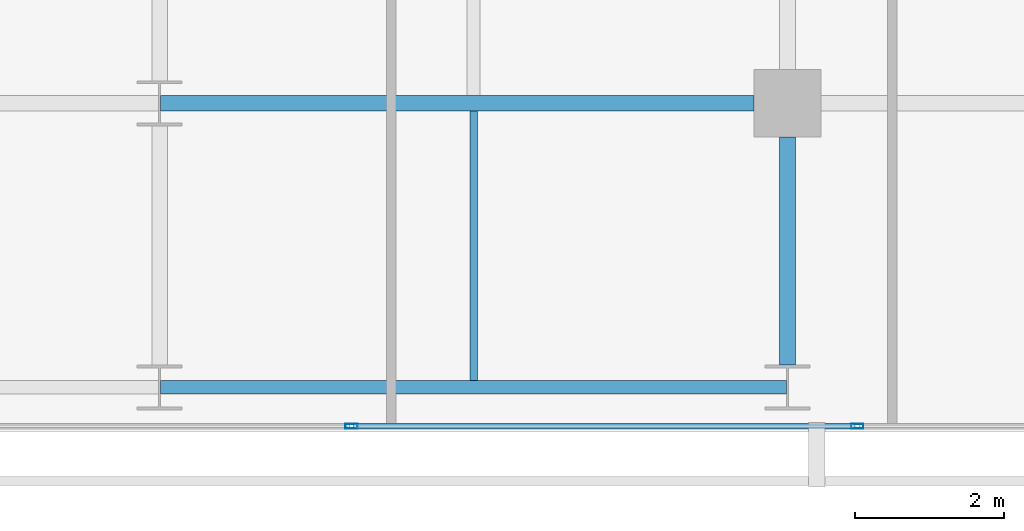
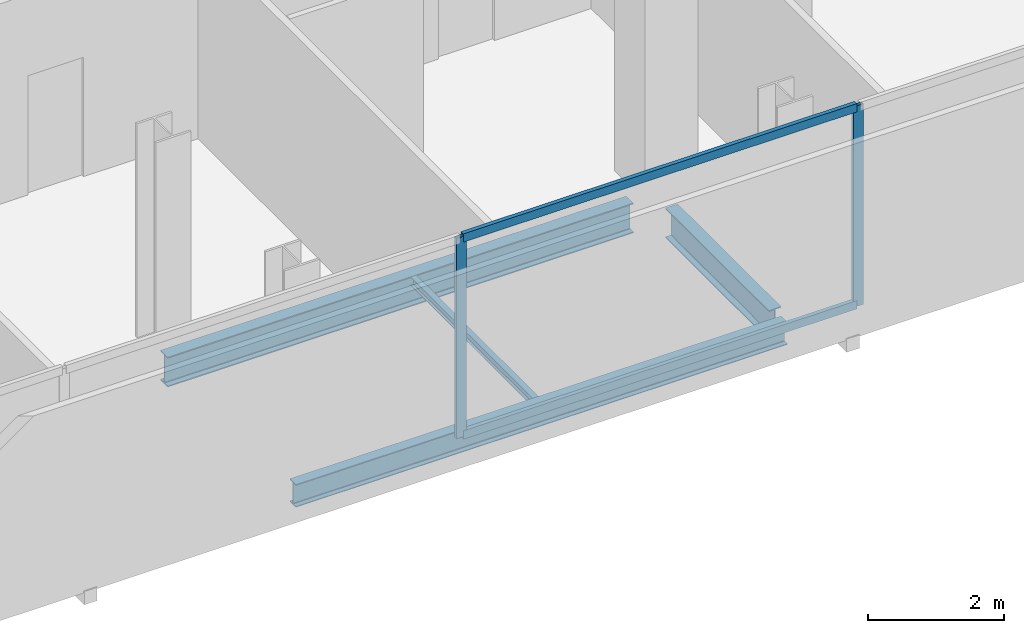
# One storey, part 12 of 33: 4 beams, 4 members, 1 element without a shape of its own.
"""IFC4 building model written with IfcOpenShell, lengths in metres."""

from ifc_helpers import new_model, si_unit, direction, frame, origin, origin_2d, place, context, subcontext, project, spatial, hollow_rectangle, i_section, extrude, material, layer, layer_set, material_profile, profile_set, type_object, element, aggregate, save


model = new_model("IFC4")

# Units and contexts
model_context = context("Model", 3, precision=1e-05, world=origin(), true_north=direction((0.0, 1.0)))
body_context = subcontext(model_context, "Body", "Model", "MODEL_VIEW")
ifc_project = project(units=[si_unit("LENGTHUNIT", "METRE"), si_unit("AREAUNIT", "SQUARE_METRE"), si_unit("VOLUMEUNIT", "CUBIC_METRE"), si_unit("PLANEANGLEUNIT", "RADIAN"), si_unit("MASSUNIT", "GRAM", prefix="KILO")], contexts=[model_context])

# Site, building, storey
site_placement = place(None, origin())
site = spatial("IfcSite", under=ifc_project, at=site_placement, CompositionType="ELEMENT")
building_placement = place(site_placement, origin())
building = spatial("IfcBuilding", under=site, at=building_placement, Name="Maruvema Waterfront Hotel and Observation Tower", CompositionType="ELEMENT")
storey_placement = place(building_placement, frame((0.0, 0.0, 204.39990234375)))
storey = spatial("IfcBuildingStorey", under=building, at=storey_placement, Name="L50", CompositionType="ELEMENT", Elevation=204.39990234375)

# Curtain wall, members
ifc_material_1 = material(Name="Anodised bronze aluminium and solar-control low-E IGU", Category="aluminium")
ifc_layer = layer(ifc_material_1, 0.159912109375, Name="Zone 2 Amber Inner Thermal Curtain Wall System CW-03")
ifc_layer_set = layer_set([ifc_layer], Name="Anodised bronze aluminium and solar-control low-E IGU")
curtain_wall_type = type_object("IfcCurtainWallType", Name="Zone 2 Amber Inner Thermal Curtain Wall System CW-03", PredefinedType="USERDEFINED", material=ifc_layer_set)
curtain_wall_placement = place(storey_placement, origin())
curtain_wall = element("IfcCurtainWall", 1, at=curtain_wall_placement, inside=storey, type_object=curtain_wall_type, Name="L50 Curtain Wall CW-L50-S", ObjectType="UNITISED CURTAIN WALL", PredefinedType="USERDEFINED")
ifc_material_2 = material(Name="Anodised architectural bronze aluminium", Category="aluminium")
ifc_material_profile_1 = material_profile(ifc_material_2, hollow_rectangle(XDim=0.070068359375, YDim=0.14990234375, WallThickness=0.00390625, at=origin_2d()), Name="ALU-T70x150")
ifc_profile_set_1 = profile_set([ifc_material_profile_1], Name="Anodised architectural bronze aluminium")
member_type_1 = type_object("IfcMemberType", Name="Curtain Wall Horizontal Transom ALU-T70x150", PredefinedType="USERDEFINED", material=ifc_profile_set_1)
member_1_placement = place(storey_placement, frame((44.5966796875, 4.679931640625, 0.030029296875), z_axis=(1.0, 0.0, 0.0), x_axis=(0.0, 1.0, 0.0)))
member_1 = element("IfcMember", 2, at=member_1_placement, type_object=member_type_1, Name="CW-03 transom 5.1", ObjectType="TRANSOM", PredefinedType="USERDEFINED", context=body_context, shape_type="SweptSolid", body=[
    extrude(hollow_rectangle(XDim=0.070068359375, YDim=0.14990234375, WallThickness=0.00390625, at=origin_2d()), origin(), (0.0, 0.0, 1.0), 6.70654296875),
])
member_2_placement = place(storey_placement, frame((44.5966796875, 4.679931640625, 3.580078125), z_axis=(1.0, 0.0, 0.0), x_axis=(0.0, 1.0, 0.0)))
member_2 = element("IfcMember", 3, at=member_2_placement, type_object=member_type_1, Name="CW-03 transom 5.2", ObjectType="TRANSOM", PredefinedType="USERDEFINED", context=body_context, shape_type="SweptSolid", body=[
    extrude(hollow_rectangle(XDim=0.070068359375, YDim=0.14990234375, WallThickness=0.00390625, at=origin_2d()), origin(), (0.0, 0.0, 1.0), 6.70654296875),
])
ifc_material_3 = material(Name="Anodised architectural bronze aluminium", Category="aluminium")
ifc_material_profile_2 = material_profile(ifc_material_3, hollow_rectangle(XDim=0.06494140625, YDim=0.1650390625, WallThickness=0.00390625, at=origin_2d()), Name="ALU-M65x165")
ifc_profile_set_2 = profile_set([ifc_material_profile_2], Name="Anodised architectural bronze aluminium")
member_type_2 = type_object("IfcMemberType", Name="Curtain Wall Primary Mullion ALU-M65x165", PredefinedType="MULLION", material=ifc_profile_set_2)
member_3_placement = place(storey_placement, frame((44.566650390625, 4.679931640625, 0.0), z_axis=(0.0, 0.0, 1.0), x_axis=(0.0, 1.0, 0.0)))
member_3 = element("IfcMember", 4, at=member_3_placement, type_object=member_type_2, Name="CW-03 mullion 5", PredefinedType="MULLION", context=body_context, shape_type="SweptSolid", body=[
    extrude(hollow_rectangle(XDim=0.06494140625, YDim=0.1650390625, WallThickness=0.00390625, at=origin_2d()), origin(), (0.0, 0.0, 1.0), 3.610107421875),
])
member_4_placement = place(storey_placement, frame((51.333251953125, 4.679931640625, 0.0), z_axis=(0.0, 0.0, 1.0), x_axis=(0.0, 1.0, 0.0)))
member_4 = element("IfcMember", 5, at=member_4_placement, type_object=member_type_2, Name="CW-03 mullion 6", PredefinedType="MULLION", context=body_context, shape_type="SweptSolid", body=[
    extrude(hollow_rectangle(XDim=0.06494140625, YDim=0.1650390625, WallThickness=0.00390625, at=origin_2d()), origin(), (0.0, 0.0, 1.0), 3.610107421875),
])
aggregate(curtain_wall, [member_3, member_4, member_1, member_2])

# Beams
ifc_material_4 = material(Name="Steel ASTM A572 Grade 50", Category="steel")
ifc_material_profile_3 = material_profile(ifc_material_4, i_section(OverallWidth=0.178955078125, OverallDepth=0.409912109375, WebThickness=0.0087890625, FlangeThickness=0.014404296875, FilletRadius=0.014892578125, at=origin_2d()), Name="W410x67.0")
ifc_profile_set_3 = profile_set([ifc_material_profile_3], Name="Steel ASTM A572 Grade 50")
beam_type_1 = type_object("IfcBeamType", Name="Perimeter Spandrel Beam W410x67.0", PredefinedType="SPANDREL", material=ifc_profile_set_3)
beam_1_placement = place(storey_placement, frame((42.012451171875, 5.199951171875, -0.44482421875), z_axis=(1.0, 0.0, 0.0), x_axis=(0.0, 1.0, 0.0)))
element("IfcBeam", 6, at=beam_1_placement, inside=storey, type_object=beam_type_1, Name="L50 Floor Girder EW-03", PredefinedType="SPANDREL", context=body_context, shape_type="SweptSolid", body=[
    extrude(i_section(OverallWidth=0.178955078125, OverallDepth=0.409912109375, WebThickness=0.0087890625, FlangeThickness=0.014404296875, FilletRadius=0.014892578125, at=origin_2d()), origin(), (0.0, 0.0, 1.0), 8.375),
])
ifc_material_5 = material(Name="Steel ASTM A572 Grade 50", Category="steel")
ifc_material_profile_4 = material_profile(ifc_material_5, i_section(OverallWidth=0.2109375, OverallDepth=0.5390625, WebThickness=0.01171875, FlangeThickness=0.018798828125, FilletRadius=0.014892578125, at=origin_2d()), Name="W530x109.0")
ifc_profile_set_4 = profile_set([ifc_material_profile_4], Name="Steel ASTM A572 Grade 50")
beam_type_2 = type_object("IfcBeamType", Name="Primary Floor Girder W530x109.0", PredefinedType="BEAM", material=ifc_profile_set_4)
beam_2_placement = place(storey_placement, frame((42.012451171875, 9.0, -0.509521484375), z_axis=(1.0, 0.0, 0.0), x_axis=(0.0, 1.0, 0.0)))
element("IfcBeam", 7, at=beam_2_placement, inside=storey, type_object=beam_type_2, Name="L50 Floor Girder EW-08", PredefinedType="BEAM", context=body_context, shape_type="SweptSolid", body=[
    extrude(i_section(OverallWidth=0.2109375, OverallDepth=0.5390625, WebThickness=0.01171875, FlangeThickness=0.018798828125, FilletRadius=0.014892578125, at=origin_2d()), origin(), (0.0, 0.0, 1.0), 7.9375),
])
beam_3_placement = place(storey_placement, frame((50.39990234375, 5.5, -0.509521484375), z_axis=(0.0, 1.0, 0.0), x_axis=(-1.0, 0.0, 0.0)))
element("IfcBeam", 8, at=beam_3_placement, inside=storey, type_object=beam_type_2, Name="L50 Floor Girder NS-20", PredefinedType="BEAM", context=body_context, shape_type="SweptSolid", body=[
    extrude(i_section(OverallWidth=0.2109375, OverallDepth=0.5390625, WebThickness=0.01171875, FlangeThickness=0.018798828125, FilletRadius=0.014892578125, at=origin_2d()), origin(), (0.0, 0.0, 1.0), 3.050048828125),
])
ifc_material_6 = material(Name="Steel ASTM A572 Grade 50", Category="steel")
ifc_material_profile_5 = material_profile(ifc_material_6, i_section(OverallWidth=0.10009765625, OverallDepth=0.153076171875, WebThickness=0.005859375, FlangeThickness=0.007080078125, FilletRadius=0.008056640625, at=origin_2d()), Name="W150x18.0")
ifc_profile_set_5 = profile_set([ifc_material_profile_5], Name="Steel ASTM A572 Grade 50")
beam_type_3 = type_object("IfcBeamType", Name="Secondary Floor Joist W150x18.0", PredefinedType="JOIST", material=ifc_profile_set_5)
beam_4_placement = place(storey_placement, frame((46.199951171875, 5.28955078125, -0.31640625), z_axis=(0.0, 1.0, 0.0), x_axis=(-1.0, 0.0, 0.0)))
element("IfcBeam", 9, at=beam_4_placement, inside=storey, type_object=beam_type_3, Name="L50 Secondary Floor Joist JS-09", PredefinedType="JOIST", context=body_context, shape_type="SweptSolid", body=[
    extrude(i_section(OverallWidth=0.10009765625, OverallDepth=0.153076171875, WebThickness=0.005859375, FlangeThickness=0.007080078125, FilletRadius=0.008056640625, at=origin_2d()), origin(), (0.0, 0.0, 1.0), 3.60498046875),
])

save(model, "model.ifc")
